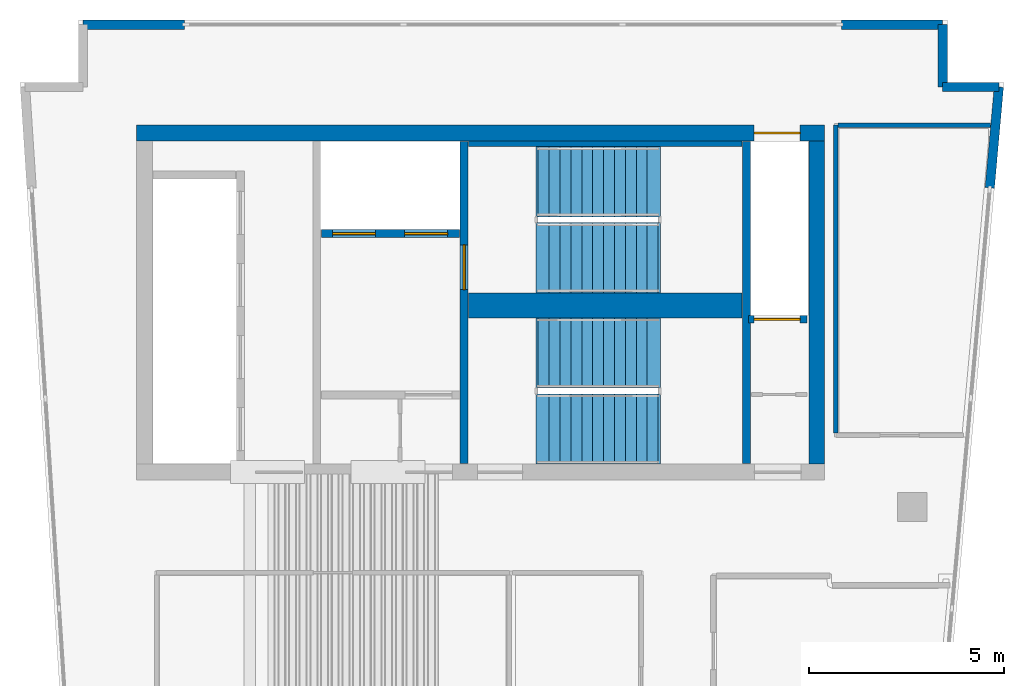
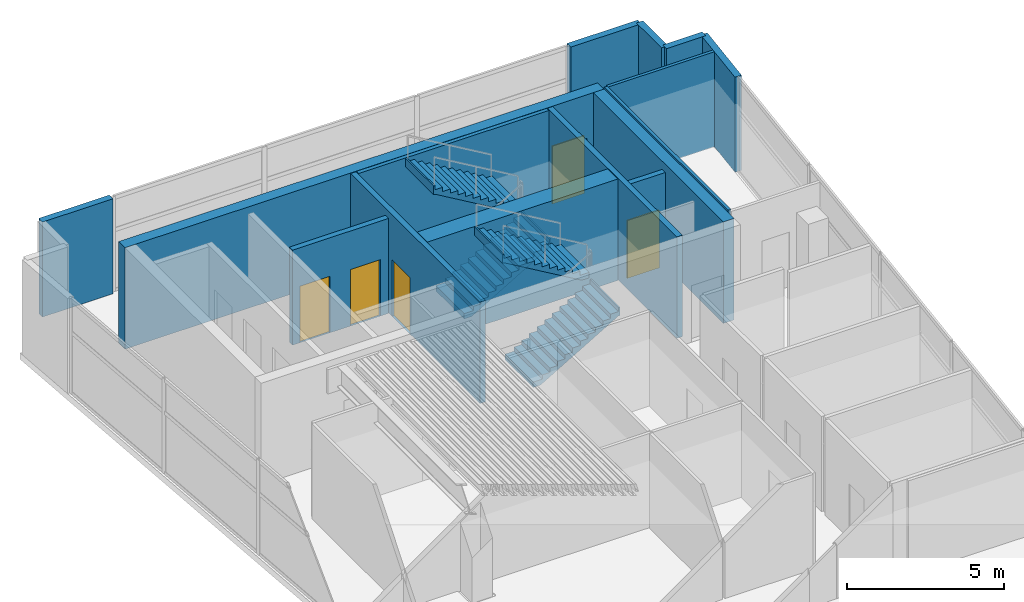
# One storey, part 5 of 7: 15 walls, 5 doors, 4 stair flights, 5 openings, 2 elements without a shape of their own.
"""IFC4 building model written with IfcOpenShell, lengths in metres."""

from ifc_helpers import new_model, si_unit, direction, frame, frame_2d, origin, place, context, subcontext, project, spatial, polyline, rectangle, outline, extrude, material, layer, layer_set, type_object, element, fill, aggregate, save


model = new_model("IFC4")

# Units and contexts
model_context = context("Model", 3, precision=1e-05, world=origin(), true_north=direction((0.0, 1.0)))
body_context = subcontext(model_context, "Body", "Model", "MODEL_VIEW")
ifc_project = project(units=[si_unit("LENGTHUNIT", "METRE"), si_unit("AREAUNIT", "SQUARE_METRE"), si_unit("VOLUMEUNIT", "CUBIC_METRE"), si_unit("PLANEANGLEUNIT", "RADIAN"), si_unit("MASSUNIT", "GRAM", prefix="KILO")], contexts=[model_context])

# Site, building, storey
site_placement = place(None, origin())
site = spatial("IfcSite", under=ifc_project, at=site_placement, CompositionType="ELEMENT")
building_placement = place(site_placement, origin())
building = spatial("IfcBuilding", under=site, at=building_placement, Name="Caeloran Harvest Quay", CompositionType="ELEMENT")
storey_placement = place(building_placement, frame((0.0, 0.0, 315.949951171875)))
storey = spatial("IfcBuildingStorey", under=building, at=storey_placement, Name="L76", CompositionType="ELEMENT", Elevation=315.949951171875)

# Walls
ifc_material_1 = material(Name="Precast concrete C50/60", Category="concrete")
ifc_layer_1 = layer(ifc_material_1, 0.239990234375, Name="Precast concrete C50/60")
ifc_layer_set_1 = layer_set([ifc_layer_1], Name="Precast concrete C50/60")
wall_type_1 = type_object("IfcWallType", Name="ENV-WALL-EW-240", PredefinedType="STANDARD", material=ifc_layer_set_1)
for number, where, z_axis, x_axis, name in (
    (1, (4.219970703125, 43.3798828125, 0.0), (0.0, 0.0, 1.0), (1.0, 0.0, 0.0), "L76 Exterior Facade Corner Pier Wall 6A"),
    (2, (23.679931640625, 43.3798828125, 0.0), (0.0, 0.0, 1.0), (1.0, 0.0, 0.0), "L76 Exterior Facade Corner Pier Wall 6B"),
):
    element("IfcWall", number, at=place(storey_placement, frame(where, z_axis=z_axis, x_axis=x_axis)), inside=storey, type_object=wall_type_1, Name=name, PredefinedType="STANDARD", context=body_context, shape_type="SweptSolid", body=[
        extrude(rectangle(XDim=2.60009765625, YDim=0.239990234375, at=frame_2d((1.300048828125, 0.0))), origin(), (0.0, 0.0, 1.0), 3.699951171875),
    ])
wall_1_placement = place(storey_placement, frame((26.280029296875, 43.3798828125, 0.0), z_axis=(0.0, 0.0, 1.0), x_axis=(0.0, -1.0, 0.0)))
element("IfcWall", 3, at=wall_1_placement, inside=storey, type_object=wall_type_1, Name="L76 Exterior Precast Concrete Facade Wall 7", PredefinedType="STANDARD", context=body_context, shape_type="SweptSolid", body=[
    extrude(rectangle(XDim=1.599853515625, YDim=0.239990234375, at=frame_2d((0.7998046875, 0.0))), origin(), (0.0, 0.0, 1.0), 3.699951171875),
])
wall_2_placement = place(storey_placement, frame((26.280029296875, 41.780029296875, 0.0), z_axis=(0.0, 0.0, 1.0), x_axis=(1.0, 0.0, 0.0)))
element("IfcWall", 4, at=wall_2_placement, inside=storey, type_object=wall_type_1, Name="L76 Exterior Precast Concrete Facade Wall 8", PredefinedType="STANDARD", context=body_context, shape_type="SweptSolid", body=[
    extrude(rectangle(XDim=1.4443359375, YDim=0.239990234375, at=frame_2d((0.72216796875, 0.0))), origin(), (0.0, 0.0, 1.0), 3.699951171875),
])
wall_3_placement = place(storey_placement, frame((27.724365234375, 41.780029296875, 0.0), z_axis=(0.0, 0.0, 1.0), x_axis=(-0.089765303723, -0.995962946222, 0.0)))
element("IfcWall", 5, at=wall_3_placement, inside=storey, type_object=wall_type_1, Name="L76 Exterior Facade Corner Pier Wall 9A", PredefinedType="STANDARD", context=body_context, shape_type="SweptSolid", body=[
    extrude(rectangle(XDim=2.60009765625, YDim=0.239990234375, at=frame_2d((1.300048828125, 0.0))), origin(), (0.0, 0.0, 1.0), 3.699951171875),
])
ifc_material_2 = material(Name="Single-Stud Acoustic Gypsum Office Partition", Category="gypsum")
ifc_layer_2 = layer(ifc_material_2, 0.112060546875, Name="Single-Stud Acoustic Gypsum Office Partition")
ifc_layer_set_2 = layer_set([ifc_layer_2], Name="Single-Stud Acoustic Gypsum Office Partition")
wall_type_2 = type_object("IfcWallType", Name="INT-WALL-PW-112", PredefinedType="PARTITIONING", material=ifc_layer_set_2)
wall_4_placement = place(storey_placement, frame((23.5400390625, 32.90087890625, 0.0), z_axis=(0.0, 0.0, 1.0), x_axis=(0.0, 1.0, 0.0)))
element("IfcWall", 6, at=wall_4_placement, inside=storey, type_object=wall_type_2, Name="L76 Bioinformatics and Crop Phenotyping Laboratory Partition Wall", PredefinedType="PARTITIONING", context=body_context, shape_type="SweptSolid", body=[
    extrude(rectangle(XDim=7.899169921875, YDim=0.112060546875, at=frame_2d((3.94970703125, 0.0))), origin(), (0.0, 0.0, 1.0), 3.699951171875),
])
wall_5_placement = place(storey_placement, frame((23.60107421875, 40.800048828125, 0.0), z_axis=(0.0, 0.0, 1.0), x_axis=(1.0, 0.0, 0.0)))
element("IfcWall", 7, at=wall_5_placement, inside=storey, type_object=wall_type_2, Name="L76 Bioinformatics and Crop Phenotyping Laboratory Partition Wall", PredefinedType="PARTITIONING", context=body_context, shape_type="SweptSolid", body=[
    extrude(rectangle(XDim=3.909423828125, YDim=0.112060546875, at=frame_2d((1.95458984375, 0.0))), origin(), (0.0, 0.0, 1.0), 3.699951171875),
])

# Wall, openings, doors
ifc_material_3 = material(Name="Concrete C50/60", Category="concrete")
ifc_layer_3 = layer(ifc_material_3, 0.199951171875, Name="Concrete C50/60")
ifc_layer_set_3 = layer_set([ifc_layer_3], Name="Concrete C50/60")
wall_type_3 = type_object("IfcWallType", Name="INT-WALL-SW-200", PredefinedType="PARTITIONING", material=ifc_layer_set_3)
wall_6_placement = place(storey_placement, frame((10.340087890625, 38.02001953125, 0.0), z_axis=(0.0, 0.0, 1.0), x_axis=(1.0, 0.0, 0.0)))
wall_6 = element("IfcWall", 8, at=wall_6_placement, inside=storey, type_object=wall_type_3, Name="L76 Firefighting Lift Shaft Wall", PredefinedType="PARTITIONING", context=body_context, shape_type="SweptSolid", body=[
    extrude(rectangle(XDim=3.539794921875, YDim=0.199951171875, at=frame_2d((1.77001953125, 0.0))), origin(), (0.0, 0.0, 1.0), 3.699951171875),
])
opening_1_placement = place(wall_6_placement, frame((0.284912109375, 0.0, 0.0)))
opening_1 = element("IfcOpeningElement", 9, at=opening_1_placement, cuts=wall_6, Name="Opening LD-01", PredefinedType="OPENING", context=body_context, shape_type="SweptSolid", body=[
    extrude(rectangle(XDim=1.10009765625, YDim=2.199951171875, at=frame_2d((0.550048828125, 1.10009765625))), frame((0.0, 0.10986328125, 0.0), z_axis=(0.0, -1.0, 0.0), x_axis=(1.0, 0.0, 0.0)), (0.0, 0.0, 1.0), 0.219970703125),
])
opening_2_placement = place(wall_6_placement, frame((2.135009765625, 0.0, 0.0)))
opening_2 = element("IfcOpeningElement", 10, at=opening_2_placement, cuts=wall_6, Name="Opening LD-01", PredefinedType="OPENING", context=body_context, shape_type="SweptSolid", body=[
    extrude(rectangle(XDim=1.10009765625, YDim=2.199951171875, at=frame_2d((0.550048828125, 1.10009765625))), frame((0.0, 0.10986328125, 0.0), z_axis=(0.0, -1.0, 0.0), x_axis=(1.0, 0.0, 0.0)), (0.0, 0.0, 1.0), 0.219970703125),
])
ifc_material_4 = material(Name="Stainless Steel Grade 316", Category="steel")
door_type_1 = type_object("IfcDoorType", Name="INTDOOR-LD-01", OperationType="NOTDEFINED", PredefinedType="DOOR", material=ifc_material_4)
door_1_placement = place(opening_1_placement, origin())
door_1 = element("IfcDoor", 11, at=door_1_placement, inside=storey, type_object=door_type_1, Name="Lift FF-1 Sliding Landing Door (L76)", OperationType="DOUBLE_DOOR_SLIDING", OverallHeight=2.199951171875, OverallWidth=1.10009765625, PredefinedType="DOOR", context=body_context, shape_type="SweptSolid", body=[
    extrude(rectangle(XDim=1.10009765625, YDim=2.199951171875, at=frame_2d((0.550048828125, 1.10009765625))), frame((0.0, 0.02490234375, 0.0), z_axis=(0.0, -1.0, 0.0), x_axis=(1.0, 0.0, 0.0)), (0.0, 0.0, 1.0), 0.050048828125),
])
fill(opening_1, door_1)
door_2_placement = place(opening_2_placement, origin())
door_2 = element("IfcDoor", 12, at=door_2_placement, inside=storey, type_object=door_type_1, Name="Lift FF-2 Sliding Landing Door (L76)", OperationType="DOUBLE_DOOR_SLIDING", OverallHeight=2.199951171875, OverallWidth=1.10009765625, PredefinedType="DOOR", context=body_context, shape_type="SweptSolid", body=[
    extrude(rectangle(XDim=1.10009765625, YDim=2.199951171875, at=frame_2d((0.550048828125, 1.10009765625))), frame((0.0, 0.02490234375, 0.0), z_axis=(0.0, -1.0, 0.0), x_axis=(1.0, 0.0, 0.0)), (0.0, 0.0, 1.0), 0.050048828125),
])
fill(opening_2, door_2)

# Wall, opening, door
wall_7_placement = place(storey_placement, frame((21.300048828125, 35.820068359375, 0.0), z_axis=(0.0, 0.0, 1.0), x_axis=(1.0, 0.0, 0.0)))
wall_7 = element("IfcWall", 13, at=wall_7_placement, inside=storey, type_object=wall_type_3, Name="L76 Service Lift SV-2 Shaft Wall", PredefinedType="PARTITIONING", context=body_context, shape_type="SweptSolid", body=[
    extrude(rectangle(XDim=1.5, YDim=0.199951171875, at=frame_2d((0.75, 0.0))), origin(), (0.0, 0.0, 1.0), 3.699951171875),
])
opening_3_placement = place(wall_7_placement, frame((0.14501953125, 0.0, 0.0)))
opening_3 = element("IfcOpeningElement", 14, at=opening_3_placement, cuts=wall_7, Name="Opening LD-02", PredefinedType="OPENING", context=body_context, shape_type="SweptSolid", body=[
    extrude(rectangle(XDim=1.179931640625, YDim=2.25, at=frame_2d((0.58984375, 1.125))), frame((0.0, 0.10986328125, 0.0), z_axis=(0.0, -1.0, 0.0), x_axis=(1.0, 0.0, 0.0)), (0.0, 0.0, 1.0), 0.219970703125),
])
door_type_2 = type_object("IfcDoorType", Name="INTDOOR-LD-02", OperationType="NOTDEFINED", PredefinedType="DOOR", material=ifc_material_4)
door_3_placement = place(opening_3_placement, origin())
door_3 = element("IfcDoor", 15, at=door_3_placement, inside=storey, type_object=door_type_2, Name="Lift SV-2 Sliding Landing Door (L76)", OperationType="DOUBLE_DOOR_SLIDING", OverallHeight=2.25, OverallWidth=1.179931640625, PredefinedType="DOOR", context=body_context, shape_type="SweptSolid", body=[
    extrude(rectangle(XDim=1.179931640625, YDim=2.25, at=frame_2d((0.58984375, 1.125))), frame((0.0, 0.02490234375, 0.0), z_axis=(0.0, -1.0, 0.0), x_axis=(1.0, 0.0, 0.0)), (0.0, 0.0, 1.0), 0.050048828125),
])
fill(opening_3, door_3)

ifc_material_5 = material(Name="Concrete C60/75", Category="concrete")
ifc_layer_4 = layer(ifc_material_5, 0.39990234375, Name="Concrete C60/75")
ifc_layer_set_4 = layer_set([ifc_layer_4], Name="Concrete C60/75")
wall_type_4 = type_object("IfcWallType", Name="STR-WALL-CW-400", PredefinedType="SHEAR", material=ifc_layer_set_4)
wall_8_placement = place(storey_placement, frame((5.60009765625, 40.60009765625, 0.0), z_axis=(0.0, 0.0, 1.0), x_axis=(1.0, 0.0, 0.0)))
wall_8 = element("IfcWall", 16, at=wall_8_placement, inside=storey, type_object=wall_type_4, Name="L76 Rear Core Shear Wall N", PredefinedType="SHEAR", context=body_context, shape_type="SweptSolid", body=[
    extrude(rectangle(XDim=17.64990234375, YDim=0.39990234375, at=frame_2d((8.824951171875, 0.0))), origin(), (0.0, 0.0, 1.0), 3.949951171875),
])
opening_4_placement = place(wall_8_placement, frame((15.844970703125, 0.0, 0.0)))
opening_4 = element("IfcOpeningElement", 17, at=opening_4_placement, cuts=wall_8, Name="Opening LD-02", PredefinedType="OPENING", context=body_context, shape_type="SweptSolid", body=[
    extrude(rectangle(XDim=1.179931640625, YDim=2.25, at=frame_2d((0.58984375, 1.125))), frame((0.0, 0.2099609375, 0.0), z_axis=(0.0, -1.0, 0.0), x_axis=(1.0, 0.0, 0.0)), (0.0, 0.0, 1.0), 0.419921875),
])
door_4_placement = place(opening_4_placement, origin())
door_4 = element("IfcDoor", 18, at=door_4_placement, inside=storey, type_object=door_type_2, Name="Lift SV-1 Sliding Landing Door (L76)", OperationType="DOUBLE_DOOR_SLIDING", OverallHeight=2.25, OverallWidth=1.179931640625, PredefinedType="DOOR", context=body_context, shape_type="SweptSolid", body=[
    extrude(rectangle(XDim=1.179931640625, YDim=2.25, at=frame_2d((0.58984375, 1.125))), frame((0.0, 0.02490234375, 0.0), z_axis=(0.0, -1.0, 0.0), x_axis=(1.0, 0.0, 0.0)), (0.0, 0.0, 1.0), 0.050048828125),
])
fill(opening_4, door_4)

# Walls
wall_9_placement = place(storey_placement, frame((23.050048828125, 32.10009765625, 0.0), z_axis=(0.0, 0.0, 1.0), x_axis=(0.0, 1.0, 0.0)))
element("IfcWall", 19, at=wall_9_placement, inside=storey, type_object=wall_type_4, Name="L76 Rear Core Shear Wall E", PredefinedType="SHEAR", context=body_context, shape_type="SweptSolid", body=[
    extrude(rectangle(XDim=8.2998046875, YDim=0.39990234375, at=frame_2d((4.14990234375, 0.0))), origin(), (0.0, 0.0, 1.0), 3.949951171875),
])
ifc_layer_5 = layer(ifc_material_5, 0.64990234375, Name="Concrete C60/75")
ifc_layer_set_5 = layer_set([ifc_layer_5], Name="Concrete C60/75")
wall_type_5 = type_object("IfcWallType", Name="STR-WALL-CW-650", PredefinedType="SHEAR", material=ifc_layer_set_5)
wall_10_placement = place(storey_placement, frame((14.1201171875, 36.175048828125, 0.0), z_axis=(0.0, 0.0, 1.0), x_axis=(1.0, 0.0, 0.0)))
element("IfcWall", 20, at=wall_10_placement, inside=storey, type_object=wall_type_5, Name="L76 Core Stairs Dividing Shear Wall", PredefinedType="SHEAR", context=body_context, shape_type="SweptSolid", body=[
    extrude(rectangle(XDim=7.009765625, YDim=0.64990234375, at=frame_2d((3.5048828125, 0.0))), origin(), (0.0, 0.0, 1.0), 3.949951171875),
])
ifc_layer_6 = layer(ifc_material_5, 0.139892578125, Name="Concrete C60/75")
ifc_layer_set_6 = layer_set([ifc_layer_6], Name="Concrete C60/75")
wall_type_6 = type_object("IfcWallType", Name="STR-WALL-SW-140", PredefinedType="SHEAR", material=ifc_layer_set_6)
wall_11_placement = place(storey_placement, frame((14.1201171875, 40.320068359375, 0.0), z_axis=(0.0, 0.0, 1.0), x_axis=(1.0, 0.0, 0.0)))
element("IfcWall", 21, at=wall_11_placement, inside=storey, type_object=wall_type_6, Name="L76 Core Stair ST-C1 North Bearing Shear Wall", PredefinedType="SHEAR", context=body_context, shape_type="SweptSolid", body=[
    extrude(rectangle(XDim=7.009765625, YDim=0.139892578125, at=frame_2d((3.5048828125, 0.0))), origin(), (0.0, 0.0, 1.0), 3.949951171875),
])

# Wall, opening, door
ifc_layer_7 = layer(ifc_material_5, 0.199951171875, Name="Concrete C60/75")
ifc_layer_set_7 = layer_set([ifc_layer_7], Name="Concrete C60/75")
wall_type_7 = type_object("IfcWallType", Name="STR-WALL-SW-200", PredefinedType="SHEAR", material=ifc_layer_set_7)
wall_12_placement = place(storey_placement, frame((14.0, 32.1201171875, 0.0), z_axis=(0.0, 0.0, 1.0), x_axis=(0.0, 1.0, 0.0)))
wall_12 = element("IfcWall", 22, at=wall_12_placement, inside=storey, type_object=wall_type_7, Name="L76 Core Stair Shaft West Shear Wall", PredefinedType="SHEAR", context=body_context, shape_type="SweptSolid", body=[
    extrude(rectangle(XDim=8.259765625, YDim=0.199951171875, at=frame_2d((4.1298828125, 0.0))), origin(), (0.0, 0.0, 1.0), 3.949951171875),
])
opening_5_placement = place(wall_12_placement, frame((4.4599609375, 0.0, 0.0)))
opening_5 = element("IfcOpeningElement", 23, at=opening_5_placement, cuts=wall_12, Name="Opening SD-01", PredefinedType="OPENING", context=body_context, shape_type="SweptSolid", body=[
    extrude(rectangle(XDim=1.14990234375, YDim=2.199951171875, at=frame_2d((0.574951171875, 1.10009765625))), frame((0.0, 0.10986328125, 0.0), z_axis=(0.0, -1.0, 0.0), x_axis=(1.0, 0.0, 0.0)), (0.0, 0.0, 1.0), 0.219970703125),
])
ifc_material_6 = material(Name="Steel", Category="steel")
door_type_3 = type_object("IfcDoorType", Name="INTDOOR-SD-01", OperationType="NOTDEFINED", PredefinedType="DOOR", material=ifc_material_6)
door_5_placement = place(opening_5_placement, origin())
door_5 = element("IfcDoor", 24, at=door_5_placement, inside=storey, type_object=door_type_3, Name="L76 Protected Stair ST-C1 Exit Door", OperationType="SINGLE_SWING_LEFT", OverallHeight=2.199951171875, OverallWidth=1.14990234375, PredefinedType="DOOR", context=body_context, shape_type="SweptSolid", body=[
    extrude(rectangle(XDim=1.14990234375, YDim=2.199951171875, at=frame_2d((0.574951171875, 1.10009765625))), frame((0.0, 0.02490234375, 0.0), z_axis=(0.0, -1.0, 0.0), x_axis=(1.0, 0.0, 0.0)), (0.0, 0.0, 1.0), 0.050048828125),
])
fill(opening_5, door_5)

# Wall
wall_13_placement = place(storey_placement, frame((21.25, 32.1201171875, 0.0), z_axis=(0.0, 0.0, 1.0), x_axis=(0.0, 1.0, 0.0)))
element("IfcWall", 25, at=wall_13_placement, inside=storey, type_object=wall_type_7, Name="L76 Core Stair Shaft East Shear Wall", PredefinedType="SHEAR", context=body_context, shape_type="SweptSolid", body=[
    extrude(rectangle(XDim=8.259765625, YDim=0.199951171875, at=frame_2d((4.1298828125, 0.0))), origin(), (0.0, 0.0, 1.0), 3.949951171875),
])

# Stair, stair flights
stair_type = type_object("IfcStairType", Name="STAIR-STC-180", PredefinedType="HALF_TURN_STAIR", material=ifc_material_3)
stair_1_placement = place(storey_placement, origin())
stair_1 = element("IfcStair", 26, at=stair_1_placement, inside=storey, type_object=stair_type, Name="L76 Core Pressurized Exit Stair ST-C1", PredefinedType="HALF_TURN_STAIR")
stair_flight_type = type_object("IfcStairFlightType", Name="FLIGHT-STC-180", PredefinedType="STRAIGHT", material=ifc_material_3)
stair_flight_1_placement = place(storey_placement, frame((15.89990234375, 37.39990234375, 0.0), z_axis=(0.0, 0.0, 1.0), x_axis=(1.0, 0.0, 0.0)))
stair_flight_1 = element("IfcStairFlight", 27, at=stair_flight_1_placement, type_object=stair_flight_type, Name="ST-C1 flight 1", NumberOfRisers=12, NumberOfTreads=11, PredefinedType="STRAIGHT", RiserHeight=0.164583333, TreadLength=0.28, context=body_context, shape_type="SweptSolid", body=[
    extrude(outline(polyline([(-0.054931640625, -0.044921875), (-0.054931640625, -0.031982421875), (-0.054931640625, -0.018798828125), (-0.054931640625, -0.005615234375), (-0.054931640625, 0.00732421875), (-0.054931640625, 0.0205078125), (-0.054931640625, 0.03369140625), (-0.054931640625, 0.046630859375), (-0.054931640625, 0.059814453125), (-0.054931640625, 0.072998046875), (-0.054931640625, 0.0859375), (-0.054931640625, 0.09912109375), (-0.054931640625, 0.1123046875), (-0.054931640625, 0.125244140625), (-0.054931640625, 0.138427734375), (-0.054931640625, 0.1513671875), (-0.054931640625, 0.16455078125), (0.280029296875, 0.16455078125), (0.280029296875, 0.3291015625), (0.56005859375, 0.3291015625), (0.56005859375, 0.49365234375), (0.840087890625, 0.49365234375), (0.840087890625, 0.658447265625), (1.1201171875, 0.658447265625), (1.1201171875, 0.822998046875), (1.39990234375, 0.822998046875), (1.39990234375, 0.987548828125), (1.679931640625, 0.987548828125), (1.679931640625, 1.152099609375), (1.9599609375, 1.152099609375), (1.9599609375, 1.316650390625), (2.239990234375, 1.316650390625), (2.239990234375, 1.481201171875), (2.52001953125, 1.481201171875), (2.52001953125, 1.645751953125), (2.800048828125, 1.645751953125), (2.800048828125, 1.810302734375), (3.080078125, 1.810302734375), (3.080078125, 1.97509765625), (3.135009765625, 1.97509765625), (3.135009765625, 1.953857421875), (3.135009765625, 1.9326171875), (3.135009765625, 1.91162109375), (3.135009765625, 1.890380859375), (3.135009765625, 1.869140625), (3.135009765625, 1.84814453125), (3.135009765625, 1.826904296875), (3.135009765625, 1.8056640625), (3.135009765625, 1.78466796875), (3.135009765625, 1.763427734375), (3.135009765625, 1.7421875), (3.135009765625, 1.72119140625), (3.135009765625, 1.699951171875), (3.135009765625, 1.678955078125), (3.135009765625, 1.65771484375), (3.135009765625, 1.636474609375), (3.080078125, 1.636474609375), (0.21923828125, -0.044921875), (-0.054931640625, -0.044921875)])), frame((0.0, 0.89990234375, 0.0), z_axis=(0.0, -1.0, 0.0), x_axis=(1.0, 0.0, 0.0)), (0.0, 0.0, 1.0), 1.800048828125),
])
stair_flight_2_placement = place(storey_placement, frame((18.97998046875, 39.35009765625, 1.97509765625), z_axis=(0.0, 0.0, 1.0), x_axis=(-1.0, 0.0, 0.0)))
stair_flight_2 = element("IfcStairFlight", 28, at=stair_flight_2_placement, type_object=stair_flight_type, Name="ST-C1 flight 2", NumberOfRisers=12, NumberOfTreads=11, PredefinedType="STRAIGHT", RiserHeight=0.164583333, TreadLength=0.28, context=body_context, shape_type="SweptSolid", body=[
    extrude(outline(polyline([(-0.054931640625, -0.044921875), (-0.054931640625, -0.031982421875), (-0.054931640625, -0.018798828125), (-0.054931640625, -0.005615234375), (-0.054931640625, 0.00732421875), (-0.054931640625, 0.0205078125), (-0.054931640625, 0.03369140625), (-0.054931640625, 0.046630859375), (-0.054931640625, 0.059814453125), (-0.054931640625, 0.072998046875), (-0.054931640625, 0.0859375), (-0.054931640625, 0.09912109375), (-0.054931640625, 0.1123046875), (-0.054931640625, 0.125244140625), (-0.054931640625, 0.138427734375), (-0.054931640625, 0.1513671875), (-0.054931640625, 0.16455078125), (0.280029296875, 0.16455078125), (0.280029296875, 0.3291015625), (0.56005859375, 0.3291015625), (0.56005859375, 0.49365234375), (0.840087890625, 0.49365234375), (0.840087890625, 0.658447265625), (1.1201171875, 0.658447265625), (1.1201171875, 0.822998046875), (1.39990234375, 0.822998046875), (1.39990234375, 0.987548828125), (1.679931640625, 0.987548828125), (1.679931640625, 1.152099609375), (1.9599609375, 1.152099609375), (1.9599609375, 1.316650390625), (2.239990234375, 1.316650390625), (2.239990234375, 1.481201171875), (2.52001953125, 1.481201171875), (2.52001953125, 1.645751953125), (2.800048828125, 1.645751953125), (2.800048828125, 1.810302734375), (3.080078125, 1.810302734375), (3.080078125, 1.97509765625), (3.135009765625, 1.97509765625), (3.135009765625, 1.953857421875), (3.135009765625, 1.9326171875), (3.135009765625, 1.91162109375), (3.135009765625, 1.890380859375), (3.135009765625, 1.869140625), (3.135009765625, 1.84814453125), (3.135009765625, 1.826904296875), (3.135009765625, 1.8056640625), (3.135009765625, 1.78466796875), (3.135009765625, 1.763427734375), (3.135009765625, 1.7421875), (3.135009765625, 1.72119140625), (3.135009765625, 1.699951171875), (3.135009765625, 1.678955078125), (3.135009765625, 1.65771484375), (3.135009765625, 1.636474609375), (3.080078125, 1.636474609375), (0.21923828125, -0.044921875), (-0.054931640625, -0.044921875)])), frame((0.0, 0.89990234375, 0.0), z_axis=(0.0, -1.0, 0.0), x_axis=(1.0, 0.0, 0.0)), (0.0, 0.0, 1.0), 1.800048828125),
])
aggregate(stair_1, [stair_flight_1, stair_flight_2])

stair_2_placement = place(storey_placement, origin())
stair_2 = element("IfcStair", 29, at=stair_2_placement, inside=storey, type_object=stair_type, Name="L76 Core Pressurized Exit Stair ST-C2", PredefinedType="HALF_TURN_STAIR")
stair_flight_3_placement = place(storey_placement, frame((15.89990234375, 33.0, 0.0), z_axis=(0.0, 0.0, 1.0), x_axis=(1.0, 0.0, 0.0)))
stair_flight_3 = element("IfcStairFlight", 30, at=stair_flight_3_placement, type_object=stair_flight_type, Name="ST-C2 flight 1", NumberOfRisers=12, NumberOfTreads=11, PredefinedType="STRAIGHT", RiserHeight=0.164583333, TreadLength=0.28, context=body_context, shape_type="SweptSolid", body=[
    extrude(outline(polyline([(-0.054931640625, -0.044921875), (-0.054931640625, -0.031982421875), (-0.054931640625, -0.018798828125), (-0.054931640625, -0.005615234375), (-0.054931640625, 0.00732421875), (-0.054931640625, 0.0205078125), (-0.054931640625, 0.03369140625), (-0.054931640625, 0.046630859375), (-0.054931640625, 0.059814453125), (-0.054931640625, 0.072998046875), (-0.054931640625, 0.0859375), (-0.054931640625, 0.09912109375), (-0.054931640625, 0.1123046875), (-0.054931640625, 0.125244140625), (-0.054931640625, 0.138427734375), (-0.054931640625, 0.1513671875), (-0.054931640625, 0.16455078125), (0.280029296875, 0.16455078125), (0.280029296875, 0.3291015625), (0.56005859375, 0.3291015625), (0.56005859375, 0.49365234375), (0.840087890625, 0.49365234375), (0.840087890625, 0.658447265625), (1.1201171875, 0.658447265625), (1.1201171875, 0.822998046875), (1.39990234375, 0.822998046875), (1.39990234375, 0.987548828125), (1.679931640625, 0.987548828125), (1.679931640625, 1.152099609375), (1.9599609375, 1.152099609375), (1.9599609375, 1.316650390625), (2.239990234375, 1.316650390625), (2.239990234375, 1.481201171875), (2.52001953125, 1.481201171875), (2.52001953125, 1.645751953125), (2.800048828125, 1.645751953125), (2.800048828125, 1.810302734375), (3.080078125, 1.810302734375), (3.080078125, 1.97509765625), (3.135009765625, 1.97509765625), (3.135009765625, 1.953857421875), (3.135009765625, 1.9326171875), (3.135009765625, 1.91162109375), (3.135009765625, 1.890380859375), (3.135009765625, 1.869140625), (3.135009765625, 1.84814453125), (3.135009765625, 1.826904296875), (3.135009765625, 1.8056640625), (3.135009765625, 1.78466796875), (3.135009765625, 1.763427734375), (3.135009765625, 1.7421875), (3.135009765625, 1.72119140625), (3.135009765625, 1.699951171875), (3.135009765625, 1.678955078125), (3.135009765625, 1.65771484375), (3.135009765625, 1.636474609375), (3.080078125, 1.636474609375), (0.21923828125, -0.044921875), (-0.054931640625, -0.044921875)])), frame((0.0, 0.89990234375, 0.0), z_axis=(0.0, -1.0, 0.0), x_axis=(1.0, 0.0, 0.0)), (0.0, 0.0, 1.0), 1.800048828125),
])
stair_flight_4_placement = place(storey_placement, frame((18.97998046875, 34.949951171875, 1.97509765625), z_axis=(0.0, 0.0, 1.0), x_axis=(-1.0, 0.0, 0.0)))
stair_flight_4 = element("IfcStairFlight", 31, at=stair_flight_4_placement, type_object=stair_flight_type, Name="ST-C2 flight 2", NumberOfRisers=12, NumberOfTreads=11, PredefinedType="STRAIGHT", RiserHeight=0.164583333, TreadLength=0.28, context=body_context, shape_type="SweptSolid", body=[
    extrude(outline(polyline([(-0.054931640625, -0.044921875), (-0.054931640625, -0.031982421875), (-0.054931640625, -0.018798828125), (-0.054931640625, -0.005615234375), (-0.054931640625, 0.00732421875), (-0.054931640625, 0.0205078125), (-0.054931640625, 0.03369140625), (-0.054931640625, 0.046630859375), (-0.054931640625, 0.059814453125), (-0.054931640625, 0.072998046875), (-0.054931640625, 0.0859375), (-0.054931640625, 0.09912109375), (-0.054931640625, 0.1123046875), (-0.054931640625, 0.125244140625), (-0.054931640625, 0.138427734375), (-0.054931640625, 0.1513671875), (-0.054931640625, 0.16455078125), (0.280029296875, 0.16455078125), (0.280029296875, 0.3291015625), (0.56005859375, 0.3291015625), (0.56005859375, 0.49365234375), (0.840087890625, 0.49365234375), (0.840087890625, 0.658447265625), (1.1201171875, 0.658447265625), (1.1201171875, 0.822998046875), (1.39990234375, 0.822998046875), (1.39990234375, 0.987548828125), (1.679931640625, 0.987548828125), (1.679931640625, 1.152099609375), (1.9599609375, 1.152099609375), (1.9599609375, 1.316650390625), (2.239990234375, 1.316650390625), (2.239990234375, 1.481201171875), (2.52001953125, 1.481201171875), (2.52001953125, 1.645751953125), (2.800048828125, 1.645751953125), (2.800048828125, 1.810302734375), (3.080078125, 1.810302734375), (3.080078125, 1.97509765625), (3.135009765625, 1.97509765625), (3.135009765625, 1.953857421875), (3.135009765625, 1.9326171875), (3.135009765625, 1.91162109375), (3.135009765625, 1.890380859375), (3.135009765625, 1.869140625), (3.135009765625, 1.84814453125), (3.135009765625, 1.826904296875), (3.135009765625, 1.8056640625), (3.135009765625, 1.78466796875), (3.135009765625, 1.763427734375), (3.135009765625, 1.7421875), (3.135009765625, 1.72119140625), (3.135009765625, 1.699951171875), (3.135009765625, 1.678955078125), (3.135009765625, 1.65771484375), (3.135009765625, 1.636474609375), (3.080078125, 1.636474609375), (0.21923828125, -0.044921875), (-0.054931640625, -0.044921875)])), frame((0.0, 0.89990234375, 0.0), z_axis=(0.0, -1.0, 0.0), x_axis=(1.0, 0.0, 0.0)), (0.0, 0.0, 1.0), 1.800048828125),
])
aggregate(stair_2, [stair_flight_3, stair_flight_4])

save(model, "model.ifc")
